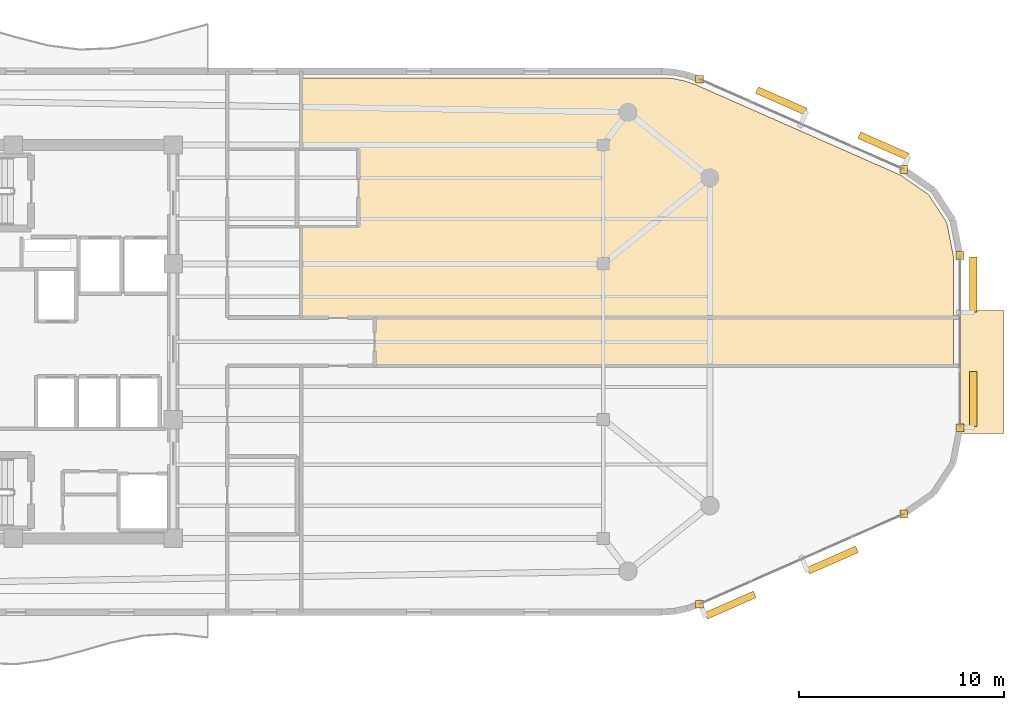
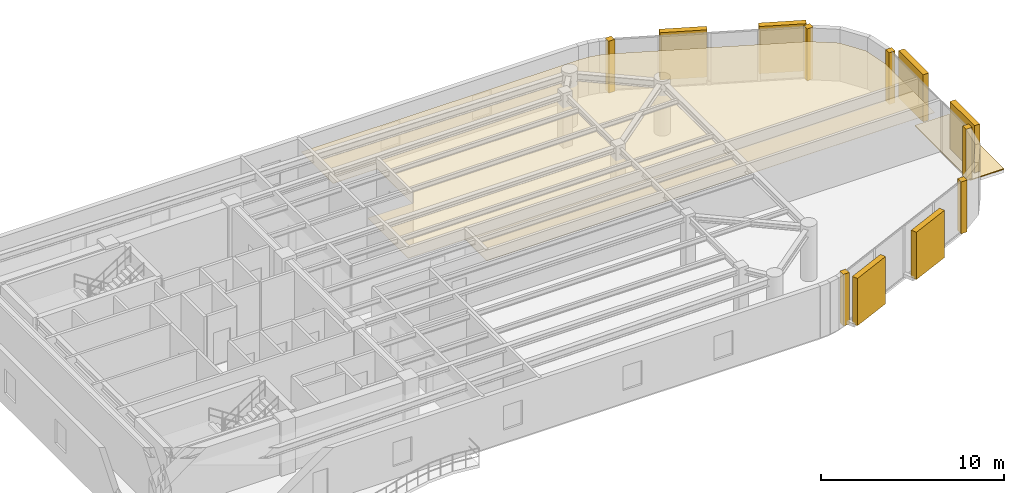
# One storey, part 12 of 12: 9 coverings, 6 shading devices.
"""IFC4 building model written with IfcOpenShell, lengths in metres."""

from ifc_helpers import new_model, si_unit, direction, frame, origin, origin_2d, place, context, subcontext, project, spatial, polyline, rectangle, outline, extrude, material, layer, layer_set, type_object, element, save


model = new_model("IFC4")

# Units and contexts
model_context = context("Model", 3, precision=1e-05, world=origin(), true_north=direction((0.0, 1.0)))
body_context = subcontext(model_context, "Body", "Model", "MODEL_VIEW")
ifc_project = project(units=[si_unit("LENGTHUNIT", "METRE"), si_unit("AREAUNIT", "SQUARE_METRE"), si_unit("VOLUMEUNIT", "CUBIC_METRE"), si_unit("PLANEANGLEUNIT", "RADIAN"), si_unit("MASSUNIT", "GRAM", prefix="KILO")], contexts=[model_context])

# Site, building, storey
site_placement = place(None, origin())
site = spatial("IfcSite", under=ifc_project, at=site_placement, CompositionType="ELEMENT")
building_placement = place(site_placement, origin())
building = spatial("IfcBuilding", under=site, at=building_placement, Name="An Khanh Terracotta Commons", CompositionType="ELEMENT")
storey_placement = place(building_placement, frame((0.0, 0.0, 269.75)))
storey = spatial("IfcBuildingStorey", under=building, at=storey_placement, Name="L70", CompositionType="ELEMENT", Elevation=269.75)

# Coverings
ifc_material_1 = material(Name="Perforated Mineral-Fibre Acoustic Tile")
ifc_layer_1 = layer(ifc_material_1, 0.02001953125, Name="Perforated Mineral-Fibre Acoustic Tile")
ifc_layer_set_1 = layer_set([ifc_layer_1], Name="Perforated Mineral-Fibre Acoustic Tile")
covering_type_1 = type_object("IfcCoveringType", Name="CEIL-ACOUSTIC-18", PredefinedType="CEILING", material=ifc_layer_set_1)
covering_1_placement = place(storey_placement, frame((0.0, 0.0, 2.64990234375)))
element("IfcCovering", 1, at=covering_1_placement, inside=storey, type_object=covering_type_1, Name="L70 Collaborative Study Lounge Ceiling", PredefinedType="CEILING", context=body_context, shape_type="SweptSolid", body=[
    extrude(outline(polyline([(61.01904296875, 36.8798828125), (61.62109375, 36.837890625), (62.199951171875, 36.716064453125), (62.76806640625, 36.511962890625), (72.699951171875, 32.1298828125), (74.068115234375, 31.177978515625), (74.9609375, 29.80810546875), (75.280029296875, 28.1708984375), (75.280029296875, 25.179931640625), (47.050048828125, 25.179931640625), (43.449951171875, 25.179931640625), (43.449951171875, 29.60009765625), (46.25, 29.60009765625), (46.25, 33.39990234375), (43.449951171875, 33.39990234375), (43.449951171875, 36.8798828125), (61.01904296875, 36.8798828125)])), origin(), (0.0, 0.0, 1.0), 0.02001953125),
])
covering_2_placement = place(storey_placement, frame((0.0, 0.0, 2.64990234375)))
element("IfcCovering", 2, at=covering_2_placement, inside=storey, type_object=covering_type_1, Name="L70 Academic Seminar Room Ceiling", PredefinedType="CEILING", context=body_context, shape_type="SweptSolid", body=[
    extrude(outline(polyline([(75.280029296875, 22.820068359375), (47.050048828125, 22.820068359375), (47.050048828125, 25.179931640625), (75.280029296875, 25.179931640625), (75.280029296875, 22.820068359375)])), origin(), (0.0, 0.0, 1.0), 0.02001953125),
])
ifc_material_2 = material(Name="Fired Terracotta Rainscreen Cladding", Category="masonry")
ifc_layer_2 = layer(ifc_material_2, 0.080078125, Name="Fired Terracotta Rainscreen Cladding")
ifc_layer_set_2 = layer_set([ifc_layer_2], Name="Fired Terracotta Rainscreen Cladding")
covering_type_2 = type_object("IfcCoveringType", Name="COV-JAMB-TERRA", PredefinedType="CLADDING", material=ifc_layer_set_2)
for number, where, z_axis, x_axis, name in (
    (3, (62.886962890625, 11.19091796875, 0.0), (0.0, 0.0, 1.0), (1.0, 0.0, 0.0), "L70 CW-03 Curtain-Wall Jamb Closure JA"),
    (4, (72.85693359375, 15.590087890625, 0.0), (0.0, 0.0, 1.0), (1.0, 0.0, 0.0), "L70 CW-03 Curtain-Wall Jamb Closure JB"),
    (5, (75.60009765625, 19.798095703125, 0.0), (0.0, 0.0, 1.0), (1.0, 0.0, 0.0), "L70 CW-03 Curtain-Wall Jamb Closure JA"),
    (6, (75.60009765625, 28.201904296875, 0.0), (0.0, 0.0, 1.0), (1.0, 0.0, 0.0), "L70 CW-03 Curtain-Wall Jamb Closure JB"),
    (7, (72.85693359375, 32.409912109375, 0.0), (0.0, 0.0, 1.0), (1.0, 0.0, 0.0), "L70 CW-03 Curtain-Wall Jamb Closure JA"),
    (8, (62.886962890625, 36.80908203125, 0.0), (0.0, 0.0, 1.0), (1.0, 0.0, 0.0), "L70 CW-03 Curtain-Wall Jamb Closure JB"),
):
    element("IfcCovering", number, at=place(storey_placement, frame(where, z_axis=z_axis, x_axis=x_axis)), inside=storey, type_object=covering_type_2, Name=name, PredefinedType="CLADDING", context=body_context, shape_type="SweptSolid", body=[
        extrude(rectangle(XDim=0.3798828125, YDim=0.3798828125, at=origin_2d()), origin(), (0.0, 0.0, 1.0), 3.449951171875),
    ])
ifc_material_3 = material(Name="Planted Garden Waterproofing Membrane")
ifc_layer_3 = layer(ifc_material_3, 0.080078125, Name="Planted Garden Waterproofing Membrane")
ifc_layer_set_3 = layer_set([ifc_layer_3], Name="Planted Garden Waterproofing Membrane")
covering_type_3 = type_object("IfcCoveringType", Name="COV-ROOFING-GREEN", PredefinedType="ROOFING", material=ifc_layer_set_3)
covering_3_placement = place(storey_placement, origin())
element("IfcCovering", 9, at=covering_3_placement, inside=storey, type_object=covering_type_3, Name="L70 Shifted Box Roof Waterproofing (L69)", PredefinedType="ROOFING", context=body_context, shape_type="SweptSolid", body=[
    extrude(outline(polyline([(75.60009765625, 19.530029296875), (77.75, 19.530029296875), (77.75, 25.530029296875), (75.60009765625, 25.530029296875), (75.60009765625, 19.530029296875)])), origin(), (0.0, 0.0, 1.0), 0.06005859375),
])

# Shading devices
ifc_material_4 = material(Name="Extruded Fired Terracotta", Category="masonry")
shading_device_type = type_object("IfcShadingDeviceType", Name="Terracotta Baguette Screen Assembly", PredefinedType="USERDEFINED", material=ifc_material_4)
for number, where, z_axis, x_axis, name in (
    (10, (64.39599609375, 11.14599609375, 0.150146484375), (0.0, 0.0, 1.0), (0.914901853201, 0.403676354285, 0.0), "L70 Terracotta Baguette Screen 1"),
    (11, (69.381103515625, 13.345947265625, 0.150146484375), (0.0, 0.0, 1.0), (0.914901853201, 0.403676354285, 0.0), "L70 Terracotta Baguette Screen 3"),
):
    element("IfcShadingDevice", number, at=place(storey_placement, frame(where, z_axis=z_axis, x_axis=x_axis)), inside=storey, type_object=shading_device_type, Name=name, ObjectType="BAGUETTE", PredefinedType="USERDEFINED", context=body_context, shape_type="SweptSolid", body=[
        extrude(rectangle(XDim=2.60400390625, YDim=0.35009765625, at=origin_2d()), origin(), (0.0, 0.0, 1.0), 3.14990234375),
    ])
for number, where, z_axis, x_axis, name in (
    (12, (76.25, 21.198974609375, 0.150146484375), (0.0, 0.0, 1.0), (0.0, 1.0, 0.0), "L70 Terracotta Baguette Screen 1"),
    (13, (76.25, 26.801025390625, 0.150146484375), (0.0, 0.0, 1.0), (0.0, 1.0, 0.0), "L70 Terracotta Baguette Screen 3"),
):
    element("IfcShadingDevice", number, at=place(storey_placement, frame(where, z_axis=z_axis, x_axis=x_axis)), inside=storey, type_object=shading_device_type, Name=name, ObjectType="BAGUETTE", PredefinedType="USERDEFINED", context=body_context, shape_type="SweptSolid", body=[
        extrude(rectangle(XDim=2.680908203125, YDim=0.35009765625, at=origin_2d()), origin(), (0.0, 0.0, 1.0), 3.14990234375),
    ])
for number, where, z_axis, x_axis, name in (
    (14, (71.873046875, 33.554931640625, 0.150146484375), (0.0, 0.0, 1.0), (-0.914901853201, 0.403676354285, 0.0), "L70 Terracotta Baguette Screen 1"),
    (15, (66.887939453125, 35.75390625, 0.150146484375), (0.0, 0.0, 1.0), (-0.914901853201, 0.403676354285, 0.0), "L70 Terracotta Baguette Screen 3"),
):
    element("IfcShadingDevice", number, at=place(storey_placement, frame(where, z_axis=z_axis, x_axis=x_axis)), inside=storey, type_object=shading_device_type, Name=name, ObjectType="BAGUETTE", PredefinedType="USERDEFINED", context=body_context, shape_type="SweptSolid", body=[
        extrude(rectangle(XDim=2.60400390625, YDim=0.35009765625, at=origin_2d()), origin(), (0.0, 0.0, 1.0), 3.14990234375),
    ])

save(model, "model.ifc")
